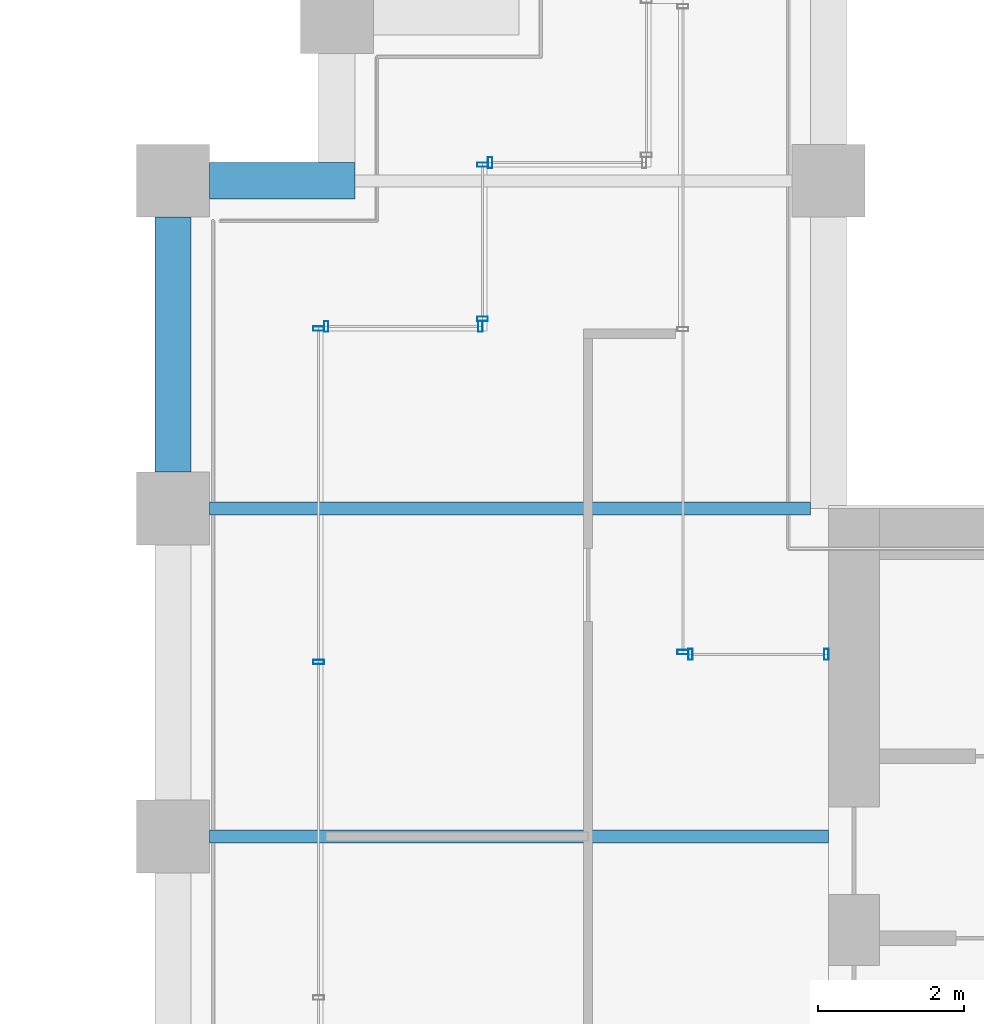
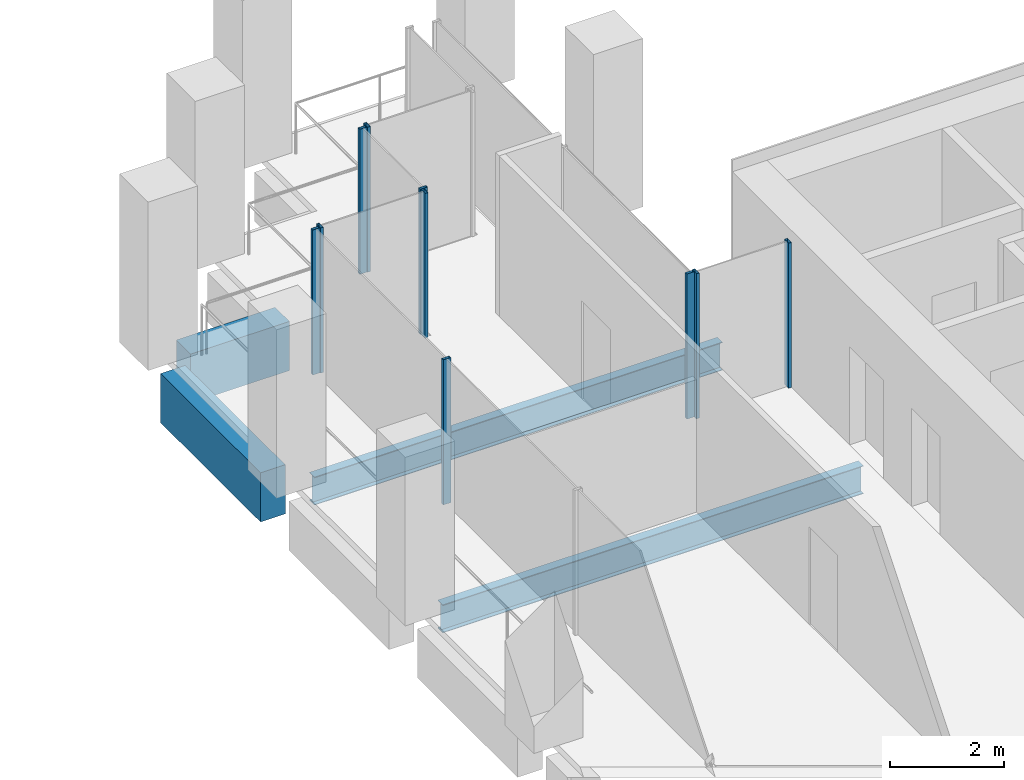
# One storey, part 34 of 46: 10 members, 4 beams, 6 elements without a shape of their own.
"""IFC4 building model written with IfcOpenShell, lengths in metres."""

from ifc_helpers import new_model, si_unit, direction, frame, origin, origin_2d, place, context, subcontext, project, spatial, rectangle, hollow_rectangle, i_section, extrude, material, material_profile, profile_set, type_object, element, aggregate, save


model = new_model("IFC4")

# Units and contexts
model_context = context("Model", 3, precision=1e-05, world=origin(), true_north=direction((0.0, 1.0)))
body_context = subcontext(model_context, "Body", "Model", "MODEL_VIEW")
ifc_project = project(units=[si_unit("LENGTHUNIT", "METRE"), si_unit("AREAUNIT", "SQUARE_METRE"), si_unit("VOLUMEUNIT", "CUBIC_METRE"), si_unit("PLANEANGLEUNIT", "RADIAN"), si_unit("MASSUNIT", "GRAM", prefix="KILO")], contexts=[model_context])

# Site, building, storey
site_placement = place(None, origin())
site = spatial("IfcSite", under=ifc_project, at=site_placement, CompositionType="ELEMENT")
building_placement = place(site_placement, origin())
building = spatial("IfcBuilding", under=site, at=building_placement, Name="Altepetl Exchange Towers", CompositionType="ELEMENT")
storey_placement = place(building_placement, frame((0.0, 0.0, 128.0)))
storey = spatial("IfcBuildingStorey", under=building, at=storey_placement, Name="L31", CompositionType="ELEMENT", Elevation=128.0)

# Beams
ifc_material_1 = material(Name="Steel S355", Category="steel")
ifc_material_profile_1 = material_profile(ifc_material_1, i_section(OverallWidth=0.177978515625, OverallDepth=0.59912109375, WebThickness=0.010009765625, FlangeThickness=0.0126953125, at=origin_2d()), Name="W24X55")
ifc_profile_set_1 = profile_set([ifc_material_profile_1], Name="Steel S355")
beam_type_1 = type_object("IfcBeamType", Name="Floor beam W24X55", PredefinedType="BEAM", material=ifc_profile_set_1)
beam_1_placement = place(storey_placement, frame((95.0, 45.0, -0.449462890625), z_axis=(1.0, 0.0, 0.0), x_axis=(0.0, 1.0, 0.0)))
element("IfcBeam", 1, at=beam_1_placement, inside=storey, type_object=beam_type_1, Name="bm:B:L31:009", PredefinedType="BEAM", context=body_context, shape_type="SweptSolid", body=[
    extrude(i_section(OverallWidth=0.177978515625, OverallDepth=0.59912109375, WebThickness=0.010009765625, FlangeThickness=0.0126953125, at=origin_2d()), origin(), (0.0, 0.0, 1.0), 8.5),
])
beam_2_placement = place(storey_placement, frame((95.0, 49.5, -0.449462890625), z_axis=(1.0, 0.0, 0.0), x_axis=(0.0, 1.0, 0.0)))
element("IfcBeam", 2, at=beam_2_placement, inside=storey, type_object=beam_type_1, Name="bm:B:L31:010", PredefinedType="BEAM", context=body_context, shape_type="SweptSolid", body=[
    extrude(i_section(OverallWidth=0.177978515625, OverallDepth=0.59912109375, WebThickness=0.010009765625, FlangeThickness=0.0126953125, at=origin_2d()), origin(), (0.0, 0.0, 1.0), 8.25),
])

# Curtain wall, members
ifc_material_2 = material(Name="Aluminium 6063-T6 glazing", Category="aluminium")
curtain_wall_type = type_object("IfcCurtainWallType", Name="Loggia glazing system", PredefinedType="NOTDEFINED", material=ifc_material_2)
curtain_wall_1_placement = place(storey_placement, origin())
curtain_wall_1 = element("IfcCurtainWall", 3, at=curtain_wall_1_placement, inside=storey, type_object=curtain_wall_type, Name="CW1 run", PredefinedType="NOTDEFINED")
ifc_material_3 = material(Name="Aluminium 6063-T6", Category="aluminium")
ifc_material_profile_2 = material_profile(ifc_material_3, hollow_rectangle(XDim=0.06005859375, YDim=0.14990234375, WallThickness=0.0029296875, at=origin_2d()), Name="Mullion 60x150 aluminium")
ifc_profile_set_2 = profile_set([ifc_material_profile_2], Name="Aluminium 6063-T6")
member_type = type_object("IfcMemberType", Name="Mullion 60x150 aluminium", PredefinedType="MULLION", material=ifc_profile_set_2)
member_1_placement = place(storey_placement, frame((98.719970703125, 52.0, 0.0), z_axis=(0.0, 0.0, 1.0), x_axis=(-1.0, 0.0, 0.0)))
member_1 = element("IfcMember", 4, at=member_1_placement, type_object=member_type, Name="MU1 mullion", PredefinedType="MULLION", context=body_context, shape_type="SweptSolid", body=[
    extrude(hollow_rectangle(XDim=0.06005859375, YDim=0.14990234375, WallThickness=0.0029296875, at=origin_2d()), origin(), (0.0, 0.0, 1.0), 3.10009765625),
])
member_2_placement = place(storey_placement, frame((96.60498046875, 52.0, 0.0), z_axis=(0.0, 0.0, 1.0), x_axis=(-1.0, 0.0, 0.0)))
member_2 = element("IfcMember", 5, at=member_2_placement, type_object=member_type, Name="MU1 mullion", PredefinedType="MULLION", context=body_context, shape_type="SweptSolid", body=[
    extrude(hollow_rectangle(XDim=0.06005859375, YDim=0.14990234375, WallThickness=0.0029296875, at=origin_2d()), origin(), (0.0, 0.0, 1.0), 3.10009765625),
])
aggregate(curtain_wall_1, [member_1, member_2])

curtain_wall_2_placement = place(storey_placement, origin())
curtain_wall_2 = element("IfcCurtainWall", 6, at=curtain_wall_2_placement, inside=storey, type_object=curtain_wall_type, Name="CW1 run", PredefinedType="NOTDEFINED")
member_3_placement = place(storey_placement, frame((96.5, 51.969970703125, 0.0), z_axis=(0.0, 0.0, 1.0), x_axis=(0.0, -1.0, 0.0)))
member_3 = element("IfcMember", 7, at=member_3_placement, type_object=member_type, Name="MU1 mullion", PredefinedType="MULLION", context=body_context, shape_type="SweptSolid", body=[
    extrude(hollow_rectangle(XDim=0.06005859375, YDim=0.14990234375, WallThickness=0.0029296875, at=origin_2d()), origin(), (0.0, 0.0, 1.0), 3.10009765625),
])
member_4_placement = place(storey_placement, frame((96.5, 47.393798828125, 0.0), z_axis=(0.0, 0.0, 1.0), x_axis=(0.0, -1.0, 0.0)))
member_4 = element("IfcMember", 8, at=member_4_placement, type_object=member_type, Name="MU1 mullion", PredefinedType="MULLION", context=body_context, shape_type="SweptSolid", body=[
    extrude(hollow_rectangle(XDim=0.06005859375, YDim=0.14990234375, WallThickness=0.0029296875, at=origin_2d()), origin(), (0.0, 0.0, 1.0), 3.10009765625),
])
aggregate(curtain_wall_2, [member_3, member_4])

curtain_wall_3_placement = place(storey_placement, origin())
curtain_wall_3 = element("IfcCurtainWall", 9, at=curtain_wall_3_placement, inside=storey, type_object=curtain_wall_type, Name="CW1 run", PredefinedType="NOTDEFINED")
member_5_placement = place(storey_placement, frame((103.469970703125, 47.5, 0.0), z_axis=(0.0, 0.0, 1.0), x_axis=(-1.0, 0.0, 0.0)))
member_5 = element("IfcMember", 10, at=member_5_placement, type_object=member_type, Name="MU1 mullion", PredefinedType="MULLION", context=body_context, shape_type="SweptSolid", body=[
    extrude(hollow_rectangle(XDim=0.06005859375, YDim=0.14990234375, WallThickness=0.0029296875, at=origin_2d()), origin(), (0.0, 0.0, 1.0), 3.10009765625),
])
member_6_placement = place(storey_placement, frame((101.60498046875, 47.5, 0.0), z_axis=(0.0, 0.0, 1.0), x_axis=(-1.0, 0.0, 0.0)))
member_6 = element("IfcMember", 11, at=member_6_placement, type_object=member_type, Name="MU1 mullion", PredefinedType="MULLION", context=body_context, shape_type="SweptSolid", body=[
    extrude(hollow_rectangle(XDim=0.06005859375, YDim=0.14990234375, WallThickness=0.0029296875, at=origin_2d()), origin(), (0.0, 0.0, 1.0), 3.10009765625),
])
aggregate(curtain_wall_3, [member_5, member_6])

# Curtain wall, member
curtain_wall_4_placement = place(storey_placement, origin())
curtain_wall_4 = element("IfcCurtainWall", 12, at=curtain_wall_4_placement, inside=storey, type_object=curtain_wall_type, Name="CW1 run", PredefinedType="NOTDEFINED")
member_7_placement = place(storey_placement, frame((101.5, 47.530029296875, 0.0), z_axis=(0.0, 0.0, 1.0), x_axis=(0.0, 1.0, 0.0)))
member_7 = element("IfcMember", 13, at=member_7_placement, type_object=member_type, Name="MU1 mullion", PredefinedType="MULLION", context=body_context, shape_type="SweptSolid", body=[
    extrude(hollow_rectangle(XDim=0.06005859375, YDim=0.14990234375, WallThickness=0.0029296875, at=origin_2d()), origin(), (0.0, 0.0, 1.0), 3.10009765625),
])
aggregate(curtain_wall_4, [member_7])

curtain_wall_5_placement = place(storey_placement, origin())
curtain_wall_5 = element("IfcCurtainWall", 14, at=curtain_wall_5_placement, inside=storey, type_object=curtain_wall_type, Name="CW1 run", PredefinedType="NOTDEFINED")
member_8_placement = place(storey_placement, frame((98.85498046875, 54.25, 0.0), z_axis=(0.0, 0.0, 1.0), x_axis=(-1.0, 0.0, 0.0)))
member_8 = element("IfcMember", 15, at=member_8_placement, type_object=member_type, Name="MU1 mullion", PredefinedType="MULLION", context=body_context, shape_type="SweptSolid", body=[
    extrude(hollow_rectangle(XDim=0.06005859375, YDim=0.14990234375, WallThickness=0.0029296875, at=origin_2d()), origin(), (0.0, 0.0, 1.0), 3.10009765625),
])
aggregate(curtain_wall_5, [member_8])

# Curtain wall, members
curtain_wall_6_placement = place(storey_placement, origin())
curtain_wall_6 = element("IfcCurtainWall", 16, at=curtain_wall_6_placement, inside=storey, type_object=curtain_wall_type, Name="CW1 run", PredefinedType="NOTDEFINED")
member_9_placement = place(storey_placement, frame((98.75, 54.219970703125, 0.0), z_axis=(0.0, 0.0, 1.0), x_axis=(0.0, -1.0, 0.0)))
member_9 = element("IfcMember", 17, at=member_9_placement, type_object=member_type, Name="MU1 mullion", PredefinedType="MULLION", context=body_context, shape_type="SweptSolid", body=[
    extrude(hollow_rectangle(XDim=0.06005859375, YDim=0.14990234375, WallThickness=0.0029296875, at=origin_2d()), origin(), (0.0, 0.0, 1.0), 3.10009765625),
])
member_10_placement = place(storey_placement, frame((98.75, 52.10498046875, 0.0), z_axis=(0.0, 0.0, 1.0), x_axis=(0.0, -1.0, 0.0)))
member_10 = element("IfcMember", 18, at=member_10_placement, type_object=member_type, Name="MU1 mullion", PredefinedType="MULLION", context=body_context, shape_type="SweptSolid", body=[
    extrude(hollow_rectangle(XDim=0.06005859375, YDim=0.14990234375, WallThickness=0.0029296875, at=origin_2d()), origin(), (0.0, 0.0, 1.0), 3.10009765625),
])
aggregate(curtain_wall_6, [member_9, member_10])

# Beams
ifc_material_4 = material(Name="Concrete C50/60 precast with cantera rosa facing", Category="concrete")
ifc_material_profile_3 = material_profile(ifc_material_4, rectangle(XDim=0.5, YDim=1.050048828125, at=origin_2d()), Name="500 x 1050")
ifc_profile_set_3 = profile_set([ifc_material_profile_3], Name="Concrete C50/60 precast with cantera rosa facing")
beam_type_2 = type_object("IfcBeamType", Name="Spandrel beam 500x1050 cantera rosa", PredefinedType="SPANDREL", material=ifc_profile_set_3)
beam_3_placement = place(storey_placement, frame((97.0, 54.0, -0.675048828125), z_axis=(-1.0, 0.0, 0.0), x_axis=(0.0, -1.0, 0.0)))
element("IfcBeam", 19, at=beam_3_placement, inside=storey, type_object=beam_type_2, Name="sp:B:L31:021", PredefinedType="SPANDREL", context=body_context, shape_type="SweptSolid", body=[
    extrude(rectangle(XDim=0.5, YDim=1.050048828125, at=origin_2d()), origin(), (0.0, 0.0, 1.0), 2.0),
])
beam_4_placement = place(storey_placement, frame((94.5, 53.5, -0.675048828125), z_axis=(0.0, -1.0, 0.0), x_axis=(1.0, 0.0, 0.0)))
element("IfcBeam", 20, at=beam_4_placement, inside=storey, type_object=beam_type_2, Name="sp:B:L31:022", PredefinedType="SPANDREL", context=body_context, shape_type="SweptSolid", body=[
    extrude(rectangle(XDim=0.5, YDim=1.050048828125, at=origin_2d()), origin(), (0.0, 0.0, 1.0), 3.5),
])

save(model, "model.ifc")
